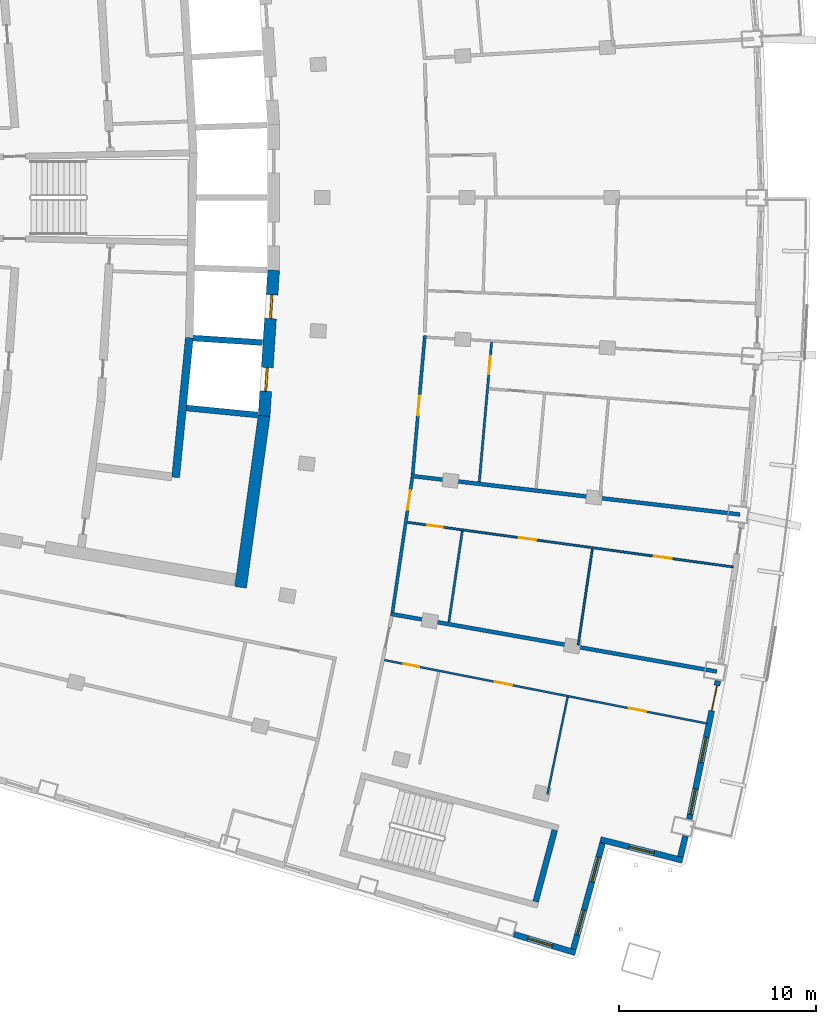
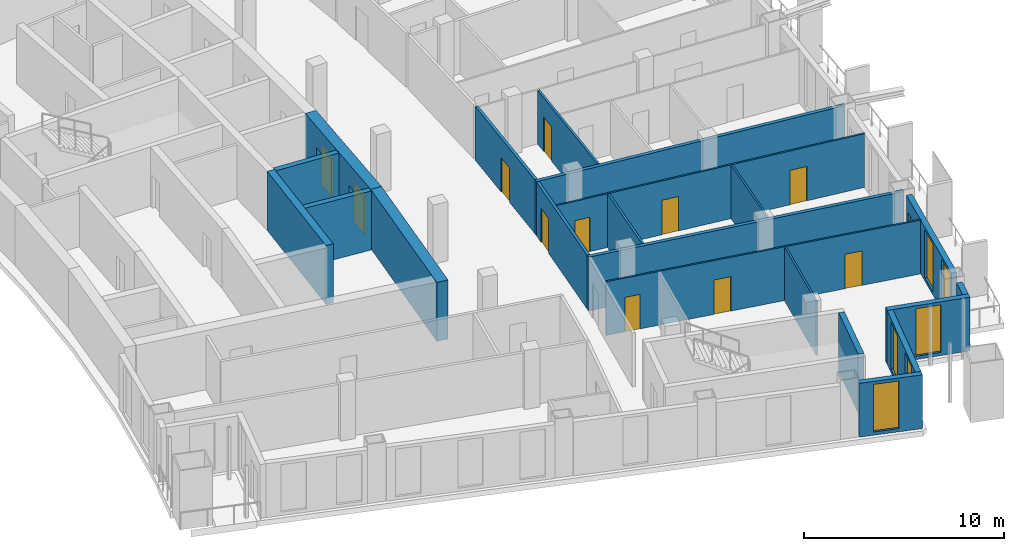
# One storey, part 10 of 17: 21 walls, 12 doors, 6 windows, 18 openings.
"""IFC4 building model written with IfcOpenShell, lengths in metres."""

from ifc_helpers import new_model, si_unit, direction, frame, frame_2d, origin, place, context, subcontext, project, spatial, rectangle, extrude, material, layer, layer_set, type_object, element, fill, save


model = new_model("IFC4")

# Units and contexts
model_context = context("Model", 3, precision=1e-05, world=origin(), true_north=direction((0.0, 1.0)))
body_context = subcontext(model_context, "Body", "Model", "MODEL_VIEW")
ifc_project = project(units=[si_unit("LENGTHUNIT", "METRE"), si_unit("AREAUNIT", "SQUARE_METRE"), si_unit("VOLUMEUNIT", "CUBIC_METRE"), si_unit("PLANEANGLEUNIT", "RADIAN"), si_unit("MASSUNIT", "GRAM", prefix="KILO")], contexts=[model_context])

# Site, building, storey
site_placement = place(None, origin())
site = spatial("IfcSite", under=ifc_project, at=site_placement, CompositionType="ELEMENT")
building_placement = place(site_placement, origin())
building = spatial("IfcBuilding", under=site, at=building_placement, Name="Alderwake Tower", CompositionType="ELEMENT")
storey_placement = place(building_placement, frame((0.0, 0.0, 214.39990234375)))
storey = spatial("IfcBuildingStorey", under=building, at=storey_placement, Name="L53", CompositionType="ELEMENT", Elevation=214.39990234375)

# Wall
ifc_material_1 = material(Name="Concrete C70/85", Category="concrete")
ifc_layer_1 = layer(ifc_material_1, 0.60009765625)
ifc_layer_set_1 = layer_set([ifc_layer_1], Name="Core wall outer 600 C70-85")
wall_type_1 = type_object("IfcWallType", Name="Core wall outer 600 C70-85", PredefinedType="SHEAR", material=ifc_layer_set_1)
wall_1_placement = place(storey_placement, frame((31.66796875, 41.256103515625, 0.0), z_axis=(0.0, 0.0, 1.0), x_axis=(0.135856583698, 0.990728514108, 0.0)))
element("IfcWall", 1, at=wall_1_placement, inside=storey, type_object=wall_type_1, Name="Core wall CW.017", PredefinedType="SHEAR", context=body_context, shape_type="SweptSolid", body=[
    extrude(rectangle(XDim=8.79296875, YDim=0.60009765625, at=frame_2d((4.396484375, 0.0))), origin(), (0.0, 0.0, 1.0), 3.60009765625),
])

# Wall, openings, doors
wall_2_placement = place(storey_placement, frame((32.860107421875, 49.9453125, 0.0), z_axis=(0.0, 0.0, 1.0), x_axis=(0.065013379938, 0.997884392317, 0.0)))
wall_2 = element("IfcWall", 2, at=wall_2_placement, inside=storey, type_object=wall_type_1, Name="Core wall CW.016", PredefinedType="SHEAR", context=body_context, shape_type="SweptSolid", body=[
    extrude(rectangle(XDim=7.39404296875, YDim=0.60009765625, at=frame_2d((3.697021484375, 0.0))), origin(), (0.0, 0.0, 1.0), 3.60009765625),
])
opening_1_placement = place(wall_2_placement, frame((1.254150390625, 0.0, 0.0)))
opening_1 = element("IfcOpeningElement", 3, at=opening_1_placement, cuts=wall_2, Name="Opening LD-HP1", PredefinedType="OPENING", context=body_context, shape_type="SweptSolid", body=[
    extrude(rectangle(XDim=1.199951171875, YDim=2.300048828125, at=frame_2d((0.60009765625, 1.14990234375))), frame((0.0, 0.31005859375, 0.0), z_axis=(0.0, -1.0, 0.0), x_axis=(1.0, 0.0, 0.0)), (0.0, 0.0, 1.0), 0.6201171875),
])
opening_2_placement = place(wall_2_placement, frame((4.941162109375, 0.0, 0.0)))
opening_2 = element("IfcOpeningElement", 4, at=opening_2_placement, cuts=wall_2, Name="Opening LD-HP2", PredefinedType="OPENING", context=body_context, shape_type="SweptSolid", body=[
    extrude(rectangle(XDim=1.199951171875, YDim=2.300048828125, at=frame_2d((0.60009765625, 1.14990234375))), frame((0.0, 0.31005859375, 0.0), z_axis=(0.0, -1.0, 0.0), x_axis=(1.0, 0.0, 0.0)), (0.0, 0.0, 1.0), 0.6201171875),
])
ifc_material_2 = material(Name="Stainless steel sliding leaf", Category="steel")
door_type_1 = type_object("IfcDoorType", Name="Lift landing door 1200", OperationType="SLIDING_TO_LEFT", PredefinedType="DOOR", material=ifc_material_2)
door_1_placement = place(opening_1_placement, origin())
door_1 = element("IfcDoor", 5, at=door_1_placement, inside=storey, type_object=door_type_1, Name="Lift landing door HP1", OperationType="SLIDING_TO_LEFT", OverallHeight=2.300048828125, OverallWidth=1.199951171875, PredefinedType="DOOR", context=body_context, shape_type="SweptSolid", body=[
    extrude(rectangle(XDim=1.199951171875, YDim=2.300048828125, at=frame_2d((0.60009765625, 1.14990234375))), frame((0.0, 0.050048828125, 0.0), z_axis=(0.0, -1.0, 0.0), x_axis=(1.0, 0.0, 0.0)), (0.0, 0.0, 1.0), 0.10009765625),
])
fill(opening_1, door_1)
door_2_placement = place(opening_2_placement, origin())
door_2 = element("IfcDoor", 6, at=door_2_placement, inside=storey, type_object=door_type_1, Name="Lift landing door HP2", OperationType="SLIDING_TO_LEFT", OverallHeight=2.300048828125, OverallWidth=1.199951171875, PredefinedType="DOOR", context=body_context, shape_type="SweptSolid", body=[
    extrude(rectangle(XDim=1.199951171875, YDim=2.300048828125, at=frame_2d((0.60009765625, 1.14990234375))), frame((0.0, 0.050048828125, 0.0), z_axis=(0.0, -1.0, 0.0), x_axis=(1.0, 0.0, 0.0)), (0.0, 0.0, 1.0), 0.10009765625),
])
fill(opening_2, door_2)

# Walls
ifc_material_3 = material(Name="Concrete C70/85", Category="concrete")
ifc_layer_2 = layer(ifc_material_3, 0.300048828125)
ifc_layer_set_2 = layer_set([ifc_layer_2], Name="Core wall shaft 300 C70-85")
wall_type_2 = type_object("IfcWallType", Name="Core wall shaft 300 C70-85", PredefinedType="SHEAR", material=ifc_layer_set_2)
wall_3_placement = place(storey_placement, frame((28.922119140625, 50.341796875, 0.0), z_axis=(0.0, 0.0, 1.0), x_axis=(0.995246193762, -0.097391035529, 0.0)))
element("IfcWall", 7, at=wall_3_placement, inside=storey, type_object=wall_type_2, Name="Core wall CW.064", PredefinedType="SHEAR", context=body_context, shape_type="SweptSolid", body=[
    extrude(rectangle(XDim=3.62744140625, YDim=0.300048828125, at=frame_2d((1.813720703125, 0.0))), origin(), (0.0, 0.0, 1.0), 3.60009765625),
])
wall_4_placement = place(storey_placement, frame((29.268798828125, 53.884521484375, 0.0), z_axis=(0.0, 0.0, 1.0), x_axis=(0.997887366571, -0.064967712281, 0.0)))
element("IfcWall", 8, at=wall_4_placement, inside=storey, type_object=wall_type_2, Name="Core wall CW.078", PredefinedType="SHEAR", context=body_context, shape_type="SweptSolid", body=[
    extrude(rectangle(XDim=3.509765625, YDim=0.300048828125, at=frame_2d((1.7548828125, 0.0))), origin(), (0.0, 0.0, 1.0), 3.60009765625),
])
ifc_material_4 = material(Name="Concrete C70/85", Category="concrete")
ifc_layer_3 = layer(ifc_material_4, 0.39990234375)
ifc_layer_set_3 = layer_set([ifc_layer_3], Name="Core wall spine 400 C70-85")
wall_type_3 = type_object("IfcWallType", Name="Core wall spine 400 C70-85", PredefinedType="SHEAR", material=ifc_layer_set_3)
wall_5_placement = place(storey_placement, frame((28.376953125, 46.8251953125, 0.0), z_axis=(0.0, 0.0, 1.0), x_axis=(0.097393469943, 0.995245955537, 0.0)))
element("IfcWall", 9, at=wall_5_placement, inside=storey, type_object=wall_type_3, Name="Core wall CW.005", PredefinedType="SHEAR", context=body_context, shape_type="SweptSolid", body=[
    extrude(rectangle(XDim=7.1142578125, YDim=0.39990234375, at=frame_2d((3.55712890625, 0.0))), origin(), (0.0, 0.0, 1.0), 3.60009765625),
])
ifc_material_5 = material(Name="Concrete C70/85", Category="concrete")
ifc_layer_4 = layer(ifc_material_5, 0.300048828125)
ifc_layer_set_4 = layer_set([ifc_layer_4], Name="Core wall stair enclosure 300 C70-85")
wall_type_4 = type_object("IfcWallType", Name="Core wall stair enclosure 300 C70-85", PredefinedType="SHEAR", material=ifc_layer_set_4)
wall_6_placement = place(storey_placement, frame((46.6162109375, 25.334716796875, 0.0), z_axis=(0.0, 0.0, 1.0), x_axis=(0.257366821694, 0.966313778796, 0.0)))
element("IfcWall", 10, at=wall_6_placement, inside=storey, type_object=wall_type_4, Name="Core wall CW.085", PredefinedType="SHEAR", context=body_context, shape_type="SweptSolid", body=[
    extrude(rectangle(XDim=3.749755859375, YDim=0.300048828125, at=frame_2d((1.875, 0.0))), origin(), (0.0, 0.0, 1.0), 3.60009765625),
])

# Wall, opening, door
ifc_material_6 = material(Name="Gypsum board on metal studs, rated")
ifc_layer_5 = layer(ifc_material_6, 0.159912109375)
ifc_layer_set_5 = layer_set([ifc_layer_5], Name="Corridor wall 160")
wall_type_5 = type_object("IfcWallType", Name="Corridor wall 160", PredefinedType="PARTITIONING", material=ifc_layer_set_5)
wall_7_placement = place(storey_placement, frame((40.3623046875, 46.7939453125, 0.0), z_axis=(0.0, 0.0, 1.0), x_axis=(-0.1455042199, -0.989357630987, 0.0)))
wall_7 = element("IfcWall", 11, at=wall_7_placement, inside=storey, type_object=wall_type_5, Name="WL/L53/W19", PredefinedType="PARTITIONING", context=body_context, shape_type="SweptSolid", body=[
    extrude(rectangle(XDim=6.87109375, YDim=0.159912109375, at=frame_2d((3.435546875, 0.0))), origin(), (0.0, 0.0, 1.0), 3.280029296875),
])
opening_3_placement = place(wall_7_placement, frame((0.628662109375, 0.0, 0.0)))
opening_3 = element("IfcOpeningElement", 12, at=opening_3_placement, cuts=wall_7, Name="Opening R15-U04.2", PredefinedType="OPENING", context=body_context, shape_type="SweptSolid", body=[
    extrude(rectangle(XDim=1.0, YDim=2.10009765625, at=frame_2d((0.5, 1.050048828125))), frame((0.0, 0.08984375, 0.0), z_axis=(0.0, -1.0, 0.0), x_axis=(1.0, 0.0, 0.0)), (0.0, 0.0, 1.0), 0.179931640625),
])
ifc_material_7 = material(Name="Solid timber leaf in steel frame", Category="steel")
door_type_2 = type_object("IfcDoorType", Name="Flat entrance door 1000 fire-rated", OperationType="SINGLE_SWING_LEFT", PredefinedType="DOOR", material=ifc_material_7)
door_3_placement = place(opening_3_placement, origin())
door_3 = element("IfcDoor", 13, at=door_3_placement, inside=storey, type_object=door_type_2, Name="DR/L53/U04.2", OperationType="SINGLE_SWING_LEFT", OverallHeight=2.10009765625, OverallWidth=1.0, PredefinedType="DOOR", context=body_context, shape_type="SweptSolid", body=[
    extrude(rectangle(XDim=1.0, YDim=2.10009765625, at=frame_2d((0.5, 1.050048828125))), frame((0.0, 0.02490234375, 0.0), z_axis=(0.0, -1.0, 0.0), x_axis=(1.0, 0.0, 0.0)), (0.0, 0.0, 1.0), 0.050048828125),
])
fill(opening_3, door_3)

wall_8_placement = place(storey_placement, frame((41.001953125, 54.013671875, 0.0), z_axis=(0.0, 0.0, 1.0), x_axis=(-0.087430787456, -0.996170596537, 0.0)))
wall_8 = element("IfcWall", 14, at=wall_8_placement, inside=storey, type_object=wall_type_5, Name="WL/L53/W21", PredefinedType="PARTITIONING", context=body_context, shape_type="SweptSolid", body=[
    extrude(rectangle(XDim=7.048095703125, YDim=0.159912109375, at=frame_2d((3.52392578125, 0.0))), origin(), (0.0, 0.0, 1.0), 3.280029296875),
])
opening_4_placement = place(wall_8_placement, frame((3.064208984375, 0.0, 0.0)))
opening_4 = element("IfcOpeningElement", 15, at=opening_4_placement, cuts=wall_8, Name="Opening R15-U05.2", PredefinedType="OPENING", context=body_context, shape_type="SweptSolid", body=[
    extrude(rectangle(XDim=1.0, YDim=2.10009765625, at=frame_2d((0.5, 1.050048828125))), frame((0.0, 0.08984375, 0.0), z_axis=(0.0, -1.0, 0.0), x_axis=(1.0, 0.0, 0.0)), (0.0, 0.0, 1.0), 0.179931640625),
])
door_4_placement = place(opening_4_placement, origin())
door_4 = element("IfcDoor", 16, at=door_4_placement, inside=storey, type_object=door_type_2, Name="DR/L53/U05.2", OperationType="SINGLE_SWING_LEFT", OverallHeight=2.10009765625, OverallWidth=1.0, PredefinedType="DOOR", context=body_context, shape_type="SweptSolid", body=[
    extrude(rectangle(XDim=1.0, YDim=2.10009765625, at=frame_2d((0.5, 1.050048828125))), frame((0.0, 0.02490234375, 0.0), z_axis=(0.0, -1.0, 0.0), x_axis=(1.0, 0.0, 0.0)), (0.0, 0.0, 1.0), 0.050048828125),
])
fill(opening_4, door_4)

# Wall
ifc_material_8 = material(Name="Precast concrete C50/60 spandrel panel", Category="concrete")
ifc_layer_6 = layer(ifc_material_8, 0.300048828125)
ifc_layer_set_6 = layer_set([ifc_layer_6], Name="External wall EW1 Precast concrete C50/60 spandrel")
wall_type_6 = type_object("IfcWallType", Name="External wall EW1 Precast concrete C50/60 spandrel", PredefinedType="SOLIDWALL", material=ifc_layer_set_6)
wall_9_placement = place(storey_placement, frame((53.948486328125, 27.610107421875, 0.0), z_axis=(0.0, 0.0, 1.0), x_axis=(0.238129221178, 0.971233480694, 0.0)))
element("IfcWall", 17, at=wall_9_placement, inside=storey, type_object=wall_type_6, Name="External wall 11", PredefinedType="SOLIDWALL", context=body_context, shape_type="SweptSolid", body=[
    extrude(rectangle(XDim=1.082763671875, YDim=0.300048828125, at=frame_2d((0.54150390625, 0.0))), origin(), (0.0, 0.0, 1.0), 3.280029296875),
])

# Wall, openings, door, windows
wall_10_placement = place(storey_placement, frame((54.399658203125, 29.517822265625, 0.0), z_axis=(0.0, 0.0, 1.0), x_axis=(0.202724039507, 0.979235908148, 0.0)))
wall_10 = element("IfcWall", 18, at=wall_10_placement, inside=storey, type_object=wall_type_6, Name="External wall 12", PredefinedType="SOLIDWALL", context=body_context, shape_type="SweptSolid", body=[
    extrude(rectangle(XDim=7.1572265625, YDim=0.300048828125, at=frame_2d((3.57861328125, 0.0))), origin(), (0.0, 0.0, 1.0), 3.280029296875),
])
opening_5_placement = place(wall_10_placement, frame((0.24951171875, 0.0, 0.199951171875)))
opening_5 = element("IfcOpeningElement", 19, at=opening_5_placement, cuts=wall_10, Name="Opening W1", PredefinedType="OPENING", context=body_context, shape_type="SweptSolid", body=[
    extrude(rectangle(XDim=1.300048828125, YDim=2.89990234375, at=frame_2d((0.64990234375, 1.449951171875))), frame((0.0, 0.159912109375, 0.0), z_axis=(0.0, -1.0, 0.0), x_axis=(1.0, 0.0, 0.0)), (0.0, 0.0, 1.0), 0.320068359375),
])
opening_6_placement = place(wall_10_placement, frame((2.928466796875, 0.0, 0.199951171875)))
opening_6 = element("IfcOpeningElement", 20, at=opening_6_placement, cuts=wall_10, Name="Opening W1", PredefinedType="OPENING", context=body_context, shape_type="SweptSolid", body=[
    extrude(rectangle(XDim=1.300048828125, YDim=2.89990234375, at=frame_2d((0.64990234375, 1.449951171875))), frame((0.0, 0.159912109375, 0.0), z_axis=(0.0, -1.0, 0.0), x_axis=(1.0, 0.0, 0.0)), (0.0, 0.0, 1.0), 0.320068359375),
])
opening_7_placement = place(wall_10_placement, frame((5.607666015625, 0.0, 0.0)))
opening_7 = element("IfcOpeningElement", 21, at=opening_7_placement, cuts=wall_10, Name="Opening D02", PredefinedType="OPENING", context=body_context, shape_type="SweptSolid", body=[
    extrude(rectangle(XDim=1.300048828125, YDim=2.39990234375, at=frame_2d((0.64990234375, 1.199951171875))), frame((0.0, 0.159912109375, 0.0), z_axis=(0.0, -1.0, 0.0), x_axis=(1.0, 0.0, 0.0)), (0.0, 0.0, 1.0), 0.320068359375),
])
ifc_material_9 = material(Name="Bronze tinted glass in aluminium frame", Category="aluminium")
door_type_3 = type_object("IfcDoorType", Name="Balcony door BD sliding", OperationType="SLIDING_TO_LEFT", PredefinedType="DOOR", material=ifc_material_9)
door_5_placement = place(opening_7_placement, origin())
door_5 = element("IfcDoor", 22, at=door_5_placement, inside=storey, type_object=door_type_3, Name="Door D02", OperationType="SLIDING_TO_LEFT", OverallHeight=2.39990234375, OverallWidth=1.300048828125, PredefinedType="DOOR", context=body_context, shape_type="SweptSolid", body=[
    extrude(rectangle(XDim=1.300048828125, YDim=2.39990234375, at=frame_2d((0.64990234375, 1.199951171875))), frame((0.0, 0.02490234375, 0.0), z_axis=(0.0, -1.0, 0.0), x_axis=(1.0, 0.0, 0.0)), (0.0, 0.0, 1.0), 0.050048828125),
])
fill(opening_7, door_5)
ifc_material_10 = material(Name="Bronze tinted glass in aluminium frame", Category="aluminium")
window_type = type_object("IfcWindowType", Name="Window W1 tall fixed and vent", PartitioningType="DOUBLE_PANEL_VERTICAL", PredefinedType="WINDOW", material=ifc_material_10)
window_1_placement = place(opening_5_placement, origin())
window_1 = element("IfcWindow", 23, at=window_1_placement, inside=storey, type_object=window_type, Name="Window W1 tall fixed and vent", OverallHeight=2.89990234375, OverallWidth=1.300048828125, PartitioningType="DOUBLE_PANEL_VERTICAL", PredefinedType="WINDOW", context=body_context, shape_type="SweptSolid", body=[
    extrude(rectangle(XDim=1.300048828125, YDim=2.89990234375, at=frame_2d((0.64990234375, 1.449951171875))), frame((0.0, 0.030029296875, 0.0), z_axis=(0.0, -1.0, 0.0), x_axis=(1.0, 0.0, 0.0)), (0.0, 0.0, 1.0), 0.06005859375),
])
fill(opening_5, window_1)
window_2_placement = place(opening_6_placement, origin())
window_2 = element("IfcWindow", 24, at=window_2_placement, inside=storey, type_object=window_type, Name="Window W1 tall fixed and vent", OverallHeight=2.89990234375, OverallWidth=1.300048828125, PartitioningType="DOUBLE_PANEL_VERTICAL", PredefinedType="WINDOW", context=body_context, shape_type="SweptSolid", body=[
    extrude(rectangle(XDim=1.300048828125, YDim=2.89990234375, at=frame_2d((0.64990234375, 1.449951171875))), frame((0.0, 0.030029296875, 0.0), z_axis=(0.0, -1.0, 0.0), x_axis=(1.0, 0.0, 0.0)), (0.0, 0.0, 1.0), 0.06005859375),
])
fill(opening_6, window_2)

# Wall, opening, window
ifc_material_11 = material(Name="Bronze metal cladding on lightweight framing")
ifc_layer_7 = layer(ifc_material_11, 0.300048828125)
ifc_layer_set_7 = layer_set([ifc_layer_7], Name="External wall EW2 bronze metal cladding")
wall_type_7 = type_object("IfcWallType", Name="External wall EW2 bronze metal cladding", PredefinedType="SOLIDWALL", material=ifc_layer_set_7)
wall_11_placement = place(storey_placement, frame((45.512451171875, 23.68310546875, 0.0), z_axis=(0.0, 0.0, 1.0), x_axis=(0.95777258911, -0.287526811878, 0.0)))
wall_11 = element("IfcWall", 25, at=wall_11_placement, inside=storey, type_object=wall_type_7, Name="External wall 8", PredefinedType="SOLIDWALL", context=body_context, shape_type="SweptSolid", body=[
    extrude(rectangle(XDim=3.254638671875, YDim=0.300048828125, at=frame_2d((1.62744140625, 0.0))), origin(), (0.0, 0.0, 1.0), 3.280029296875),
])
opening_8_placement = place(wall_11_placement, frame((0.739013671875, 0.0, 0.199951171875)))
opening_8 = element("IfcOpeningElement", 26, at=opening_8_placement, cuts=wall_11, Name="Opening W1", PredefinedType="OPENING", context=body_context, shape_type="SweptSolid", body=[
    extrude(rectangle(XDim=1.300048828125, YDim=2.89990234375, at=frame_2d((0.64990234375, 1.449951171875))), frame((0.0, 0.159912109375, 0.0), z_axis=(0.0, -1.0, 0.0), x_axis=(1.0, 0.0, 0.0)), (0.0, 0.0, 1.0), 0.320068359375),
])
window_3_placement = place(opening_8_placement, origin())
window_3 = element("IfcWindow", 27, at=window_3_placement, inside=storey, type_object=window_type, Name="Window W1 tall fixed and vent", OverallHeight=2.89990234375, OverallWidth=1.300048828125, PartitioningType="DOUBLE_PANEL_VERTICAL", PredefinedType="WINDOW", context=body_context, shape_type="SweptSolid", body=[
    extrude(rectangle(XDim=1.300048828125, YDim=2.89990234375, at=frame_2d((0.64990234375, 1.449951171875))), frame((0.0, 0.030029296875, 0.0), z_axis=(0.0, -1.0, 0.0), x_axis=(1.0, 0.0, 0.0)), (0.0, 0.0, 1.0), 0.06005859375),
])
fill(opening_8, window_3)

# Wall, openings, windows
wall_12_placement = place(storey_placement, frame((48.525634765625, 22.934814453125, 0.0), z_axis=(0.0, 0.0, 1.0), x_axis=(0.265099374795, 0.964221095747, 0.0)))
wall_12 = element("IfcWall", 28, at=wall_12_placement, inside=storey, type_object=wall_type_7, Name="External wall 9", PredefinedType="SOLIDWALL", context=body_context, shape_type="SweptSolid", body=[
    extrude(rectangle(XDim=5.564208984375, YDim=0.300048828125, at=frame_2d((2.7822265625, 0.0))), origin(), (0.0, 0.0, 1.0), 3.280029296875),
])
opening_9_placement = place(wall_12_placement, frame((0.740966796875, 0.0, 0.199951171875)))
opening_9 = element("IfcOpeningElement", 29, at=opening_9_placement, cuts=wall_12, Name="Opening W1", PredefinedType="OPENING", context=body_context, shape_type="SweptSolid", body=[
    extrude(rectangle(XDim=1.300048828125, YDim=2.89990234375, at=frame_2d((0.64990234375, 1.449951171875))), frame((0.0, 0.159912109375, 0.0), z_axis=(0.0, -1.0, 0.0), x_axis=(1.0, 0.0, 0.0)), (0.0, 0.0, 1.0), 0.320068359375),
])
opening_10_placement = place(wall_12_placement, frame((3.523193359375, 0.0, 0.199951171875)))
opening_10 = element("IfcOpeningElement", 30, at=opening_10_placement, cuts=wall_12, Name="Opening W1", PredefinedType="OPENING", context=body_context, shape_type="SweptSolid", body=[
    extrude(rectangle(XDim=1.300048828125, YDim=2.89990234375, at=frame_2d((0.64990234375, 1.449951171875))), frame((0.0, 0.159912109375, 0.0), z_axis=(0.0, -1.0, 0.0), x_axis=(1.0, 0.0, 0.0)), (0.0, 0.0, 1.0), 0.320068359375),
])
window_4_placement = place(opening_9_placement, origin())
window_4 = element("IfcWindow", 31, at=window_4_placement, inside=storey, type_object=window_type, Name="Window W1 tall fixed and vent", OverallHeight=2.89990234375, OverallWidth=1.300048828125, PartitioningType="DOUBLE_PANEL_VERTICAL", PredefinedType="WINDOW", context=body_context, shape_type="SweptSolid", body=[
    extrude(rectangle(XDim=1.300048828125, YDim=2.89990234375, at=frame_2d((0.64990234375, 1.449951171875))), frame((0.0, 0.030029296875, 0.0), z_axis=(0.0, -1.0, 0.0), x_axis=(1.0, 0.0, 0.0)), (0.0, 0.0, 1.0), 0.06005859375),
])
fill(opening_9, window_4)
window_5_placement = place(opening_10_placement, origin())
window_5 = element("IfcWindow", 32, at=window_5_placement, inside=storey, type_object=window_type, Name="Window W1 tall fixed and vent", OverallHeight=2.89990234375, OverallWidth=1.300048828125, PartitioningType="DOUBLE_PANEL_VERTICAL", PredefinedType="WINDOW", context=body_context, shape_type="SweptSolid", body=[
    extrude(rectangle(XDim=1.300048828125, YDim=2.89990234375, at=frame_2d((0.64990234375, 1.449951171875))), frame((0.0, 0.030029296875, 0.0), z_axis=(0.0, -1.0, 0.0), x_axis=(1.0, 0.0, 0.0)), (0.0, 0.0, 1.0), 0.06005859375),
])
fill(opening_10, window_5)

# Wall, opening, window
wall_13_placement = place(storey_placement, frame((49.89501953125, 28.4814453125, 0.0), z_axis=(0.0, 0.0, 1.0), x_axis=(0.969429385377, -0.245370468408, 0.0)))
wall_13 = element("IfcWall", 33, at=wall_13_placement, inside=storey, type_object=wall_type_7, Name="External wall 10", PredefinedType="SOLIDWALL", context=body_context, shape_type="SweptSolid", body=[
    extrude(rectangle(XDim=4.29443359375, YDim=0.300048828125, at=frame_2d((2.147216796875, 0.0))), origin(), (0.0, 0.0, 1.0), 3.280029296875),
])
opening_11_placement = place(wall_13_placement, frame((1.4970703125, 0.0, 0.199951171875)))
opening_11 = element("IfcOpeningElement", 34, at=opening_11_placement, cuts=wall_13, Name="Opening W1", PredefinedType="OPENING", context=body_context, shape_type="SweptSolid", body=[
    extrude(rectangle(XDim=1.300048828125, YDim=2.89990234375, at=frame_2d((0.64990234375, 1.449951171875))), frame((0.0, 0.159912109375, 0.0), z_axis=(0.0, -1.0, 0.0), x_axis=(1.0, 0.0, 0.0)), (0.0, 0.0, 1.0), 0.320068359375),
])
window_6_placement = place(opening_11_placement, origin())
window_6 = element("IfcWindow", 35, at=window_6_placement, inside=storey, type_object=window_type, Name="Window W1 tall fixed and vent", OverallHeight=2.89990234375, OverallWidth=1.300048828125, PartitioningType="DOUBLE_PANEL_VERTICAL", PredefinedType="WINDOW", context=body_context, shape_type="SweptSolid", body=[
    extrude(rectangle(XDim=1.300048828125, YDim=2.89990234375, at=frame_2d((0.64990234375, 1.449951171875))), frame((0.0, 0.030029296875, 0.0), z_axis=(0.0, -1.0, 0.0), x_axis=(1.0, 0.0, 0.0)), (0.0, 0.0, 1.0), 0.06005859375),
])
fill(opening_11, window_6)

# Walls
ifc_material_12 = material(Name="Dense block masonry wall", Category="masonry")
ifc_layer_8 = layer(ifc_material_12, 0.199951171875)
ifc_layer_set_8 = layer_set([ifc_layer_8], Name="Party wall 200")
wall_type_8 = type_object("IfcWallType", Name="Party wall 200", PredefinedType="SOLIDWALL", material=ifc_layer_set_8)
wall_14_placement = place(storey_placement, frame((55.7939453125, 36.989990234375, 0.0), z_axis=(0.0, 0.0, 1.0), x_axis=(-0.984734747419, 0.174061705225, 0.0)))
element("IfcWall", 36, at=wall_14_placement, inside=storey, type_object=wall_type_8, Name="WL/L53/W01", PredefinedType="SOLIDWALL", context=body_context, shape_type="SweptSolid", body=[
    extrude(rectangle(XDim=16.78076171875, YDim=0.199951171875, at=frame_2d((8.390380859375, 0.0))), origin(), (0.0, 0.0, 1.0), 3.280029296875),
])
wall_15_placement = place(storey_placement, frame((56.964111328125, 44.948974609375, 0.0), z_axis=(0.0, 0.0, 1.0), x_axis=(-0.993201654104, 0.116406504475, 0.0)))
element("IfcWall", 37, at=wall_15_placement, inside=storey, type_object=wall_type_8, Name="WL/L53/W03", PredefinedType="SOLIDWALL", context=body_context, shape_type="SweptSolid", body=[
    extrude(rectangle(XDim=16.780517578125, YDim=0.199951171875, at=frame_2d((8.39013671875, 0.0))), origin(), (0.0, 0.0, 1.0), 3.280029296875),
])

# Wall, openings, doors
ifc_material_13 = material(Name="Gypsum board on metal studs")
ifc_layer_9 = layer(ifc_material_13, 0.10009765625)
ifc_layer_set_9 = layer_set([ifc_layer_9], Name="Unit partition 100")
wall_type_9 = type_object("IfcWallType", Name="Unit partition 100", PredefinedType="PARTITIONING", material=ifc_layer_set_9)
wall_16_placement = place(storey_placement, frame((55.299072265625, 34.35595703125, 0.0), z_axis=(0.0, 0.0, 1.0), x_axis=(-0.981169565735, 0.193148345256, 0.0)))
wall_16 = element("IfcWall", 38, at=wall_16_placement, inside=storey, type_object=wall_type_9, Name="WL/L53/W41", PredefinedType="PARTITIONING", context=body_context, shape_type="SweptSolid", body=[
    extrude(rectangle(XDim=16.663330078125, YDim=0.10009765625, at=frame_2d((8.33154296875, 0.0))), origin(), (0.0, 0.0, 1.0), 3.280029296875),
])
opening_12_placement = place(wall_16_placement, frame((10.068603515625, 0.0, 0.0)))
opening_12 = element("IfcOpeningElement", 39, at=opening_12_placement, cuts=wall_16, Name="Opening R15-U03.1", PredefinedType="OPENING", context=body_context, shape_type="SweptSolid", body=[
    extrude(rectangle(XDim=0.89990234375, YDim=2.10009765625, at=frame_2d((0.449951171875, 1.050048828125))), frame((0.0, 0.06005859375, 0.0), z_axis=(0.0, -1.0, 0.0), x_axis=(1.0, 0.0, 0.0)), (0.0, 0.0, 1.0), 0.1201171875),
])
opening_13_placement = place(wall_16_placement, frame((14.85400390625, 0.0, 0.0)))
opening_13 = element("IfcOpeningElement", 40, at=opening_13_placement, cuts=wall_16, Name="Opening R15-U03.3", PredefinedType="OPENING", context=body_context, shape_type="SweptSolid", body=[
    extrude(rectangle(XDim=0.800048828125, YDim=2.10009765625, at=frame_2d((0.39990234375, 1.050048828125))), frame((0.0, 0.06005859375, 0.0), z_axis=(0.0, -1.0, 0.0), x_axis=(1.0, 0.0, 0.0)), (0.0, 0.0, 1.0), 0.1201171875),
])
opening_14_placement = place(wall_16_placement, frame((3.146728515625, 0.0, 0.0)))
opening_14 = element("IfcOpeningElement", 41, at=opening_14_placement, cuts=wall_16, Name="Opening R15-U03.4", PredefinedType="OPENING", context=body_context, shape_type="SweptSolid", body=[
    extrude(rectangle(XDim=0.89990234375, YDim=2.10009765625, at=frame_2d((0.449951171875, 1.050048828125))), frame((0.0, 0.06005859375, 0.0), z_axis=(0.0, -1.0, 0.0), x_axis=(1.0, 0.0, 0.0)), (0.0, 0.0, 1.0), 0.1201171875),
])
ifc_material_14 = material(Name="Painted timber leaf", Category="wood")
door_type_4 = type_object("IfcDoorType", Name="Bathroom door 800", OperationType="SINGLE_SWING_LEFT", PredefinedType="DOOR", material=ifc_material_14)
door_6_placement = place(opening_13_placement, origin())
door_6 = element("IfcDoor", 42, at=door_6_placement, inside=storey, type_object=door_type_4, Name="DR/L53/U03.3", OperationType="SINGLE_SWING_LEFT", OverallHeight=2.10009765625, OverallWidth=0.800048828125, PredefinedType="DOOR", context=body_context, shape_type="SweptSolid", body=[
    extrude(rectangle(XDim=0.800048828125, YDim=2.10009765625, at=frame_2d((0.39990234375, 1.050048828125))), frame((0.0, 0.02490234375, 0.0), z_axis=(0.0, -1.0, 0.0), x_axis=(1.0, 0.0, 0.0)), (0.0, 0.0, 1.0), 0.050048828125),
])
fill(opening_13, door_6)
ifc_material_15 = material(Name="Painted timber leaf", Category="wood")
door_type_5 = type_object("IfcDoorType", Name="Room door 900", OperationType="SINGLE_SWING_LEFT", PredefinedType="DOOR", material=ifc_material_15)
door_7_placement = place(opening_12_placement, origin())
door_7 = element("IfcDoor", 43, at=door_7_placement, inside=storey, type_object=door_type_5, Name="DR/L53/U03.1", OperationType="SINGLE_SWING_LEFT", OverallHeight=2.10009765625, OverallWidth=0.89990234375, PredefinedType="DOOR", context=body_context, shape_type="SweptSolid", body=[
    extrude(rectangle(XDim=0.89990234375, YDim=2.10009765625, at=frame_2d((0.449951171875, 1.050048828125))), frame((0.0, 0.02490234375, 0.0), z_axis=(0.0, -1.0, 0.0), x_axis=(1.0, 0.0, 0.0)), (0.0, 0.0, 1.0), 0.050048828125),
])
fill(opening_12, door_7)
door_8_placement = place(opening_14_placement, origin())
door_8 = element("IfcDoor", 44, at=door_8_placement, inside=storey, type_object=door_type_5, Name="DR/L53/U03.4", OperationType="SINGLE_SWING_LEFT", OverallHeight=2.10009765625, OverallWidth=0.89990234375, PredefinedType="DOOR", context=body_context, shape_type="SweptSolid", body=[
    extrude(rectangle(XDim=0.89990234375, YDim=2.10009765625, at=frame_2d((0.449951171875, 1.050048828125))), frame((0.0, 0.02490234375, 0.0), z_axis=(0.0, -1.0, 0.0), x_axis=(1.0, 0.0, 0.0)), (0.0, 0.0, 1.0), 0.050048828125),
])
fill(opening_14, door_8)

wall_17_placement = place(storey_placement, frame((56.6220703125, 42.2880859375, 0.0), z_axis=(0.0, 0.0, 1.0), x_axis=(-0.990734517183, 0.135812799334, 0.0)))
wall_17 = element("IfcWall", 45, at=wall_17_placement, inside=storey, type_object=wall_type_9, Name="WL/L53/W42", PredefinedType="PARTITIONING", context=body_context, shape_type="SweptSolid", body=[
    extrude(rectangle(XDim=16.662109375, YDim=0.10009765625, at=frame_2d((8.3310546875, 0.0))), origin(), (0.0, 0.0, 1.0), 3.280029296875),
])
opening_15_placement = place(wall_17_placement, frame((10.068359375, 0.0, 0.0)))
opening_15 = element("IfcOpeningElement", 46, at=opening_15_placement, cuts=wall_17, Name="Opening R15-U04.1", PredefinedType="OPENING", context=body_context, shape_type="SweptSolid", body=[
    extrude(rectangle(XDim=0.89990234375, YDim=2.10009765625, at=frame_2d((0.449951171875, 1.050048828125))), frame((0.0, 0.06005859375, 0.0), z_axis=(0.0, -1.0, 0.0), x_axis=(1.0, 0.0, 0.0)), (0.0, 0.0, 1.0), 0.1201171875),
])
opening_16_placement = place(wall_17_placement, frame((14.853271484375, 0.0, 0.0)))
opening_16 = element("IfcOpeningElement", 47, at=opening_16_placement, cuts=wall_17, Name="Opening R15-U04.3", PredefinedType="OPENING", context=body_context, shape_type="SweptSolid", body=[
    extrude(rectangle(XDim=0.800048828125, YDim=2.10009765625, at=frame_2d((0.39990234375, 1.050048828125))), frame((0.0, 0.06005859375, 0.0), z_axis=(0.0, -1.0, 0.0), x_axis=(1.0, 0.0, 0.0)), (0.0, 0.0, 1.0), 0.1201171875),
])
opening_17_placement = place(wall_17_placement, frame((3.146484375, 0.0, 0.0)))
opening_17 = element("IfcOpeningElement", 48, at=opening_17_placement, cuts=wall_17, Name="Opening R15-U04.4", PredefinedType="OPENING", context=body_context, shape_type="SweptSolid", body=[
    extrude(rectangle(XDim=0.89990234375, YDim=2.10009765625, at=frame_2d((0.449951171875, 1.050048828125))), frame((0.0, 0.06005859375, 0.0), z_axis=(0.0, -1.0, 0.0), x_axis=(1.0, 0.0, 0.0)), (0.0, 0.0, 1.0), 0.1201171875),
])
door_9_placement = place(opening_16_placement, origin())
door_9 = element("IfcDoor", 49, at=door_9_placement, inside=storey, type_object=door_type_4, Name="DR/L53/U04.3", OperationType="SINGLE_SWING_LEFT", OverallHeight=2.10009765625, OverallWidth=0.800048828125, PredefinedType="DOOR", context=body_context, shape_type="SweptSolid", body=[
    extrude(rectangle(XDim=0.800048828125, YDim=2.10009765625, at=frame_2d((0.39990234375, 1.050048828125))), frame((0.0, 0.02490234375, 0.0), z_axis=(0.0, -1.0, 0.0), x_axis=(1.0, 0.0, 0.0)), (0.0, 0.0, 1.0), 0.050048828125),
])
fill(opening_16, door_9)
door_10_placement = place(opening_15_placement, origin())
door_10 = element("IfcDoor", 50, at=door_10_placement, inside=storey, type_object=door_type_5, Name="DR/L53/U04.1", OperationType="SINGLE_SWING_LEFT", OverallHeight=2.10009765625, OverallWidth=0.89990234375, PredefinedType="DOOR", context=body_context, shape_type="SweptSolid", body=[
    extrude(rectangle(XDim=0.89990234375, YDim=2.10009765625, at=frame_2d((0.449951171875, 1.050048828125))), frame((0.0, 0.02490234375, 0.0), z_axis=(0.0, -1.0, 0.0), x_axis=(1.0, 0.0, 0.0)), (0.0, 0.0, 1.0), 0.050048828125),
])
fill(opening_15, door_10)
door_11_placement = place(opening_17_placement, origin())
door_11 = element("IfcDoor", 51, at=door_11_placement, inside=storey, type_object=door_type_5, Name="DR/L53/U04.4", OperationType="SINGLE_SWING_LEFT", OverallHeight=2.10009765625, OverallWidth=0.89990234375, PredefinedType="DOOR", context=body_context, shape_type="SweptSolid", body=[
    extrude(rectangle(XDim=0.89990234375, YDim=2.10009765625, at=frame_2d((0.449951171875, 1.050048828125))), frame((0.0, 0.02490234375, 0.0), z_axis=(0.0, -1.0, 0.0), x_axis=(1.0, 0.0, 0.0)), (0.0, 0.0, 1.0), 0.050048828125),
])
fill(opening_17, door_11)

# Walls
wall_18_placement = place(storey_placement, frame((47.2109375, 30.76806640625, 0.0), z_axis=(0.0, 0.0, 1.0), x_axis=(0.203061140809, 0.979166060019, 0.0)))
element("IfcWall", 52, at=wall_18_placement, inside=storey, type_object=wall_type_9, Name="WL/L53/W48", PredefinedType="PARTITIONING", context=body_context, shape_type="SweptSolid", body=[
    extrude(rectangle(XDim=5.03271484375, YDim=0.10009765625, at=frame_2d((2.516357421875, 0.0))), origin(), (0.0, 0.0, 1.0), 3.280029296875),
])
wall_19_placement = place(storey_placement, frame((48.7705078125, 38.333984375, 0.0), z_axis=(0.0, 0.0, 1.0), x_axis=(0.145734669437, 0.989323711494, 0.0)))
element("IfcWall", 53, at=wall_19_placement, inside=storey, type_object=wall_type_9, Name="WL/L53/W49", PredefinedType="PARTITIONING", context=body_context, shape_type="SweptSolid", body=[
    extrude(rectangle(XDim=4.935302734375, YDim=0.10009765625, at=frame_2d((2.4677734375, 0.0))), origin(), (0.0, 0.0, 1.0), 3.280029296875),
])
ifc_material_16 = material(Name="Moisture resistant gypsum board on metal studs")
ifc_layer_10 = layer(ifc_material_16, 0.1201171875)
ifc_layer_set_10 = layer_set([ifc_layer_10], Name="Wet room partition 120")
wall_type_10 = type_object("IfcWallType", Name="Wet room partition 120", PredefinedType="PARTITIONING", material=ifc_layer_set_10)
wall_20_placement = place(storey_placement, frame((42.218505859375, 39.491943359375, 0.0), z_axis=(0.0, 0.0, 1.0), x_axis=(0.145515042, 0.989356039326, 0.0)))
element("IfcWall", 54, at=wall_20_placement, inside=storey, type_object=wall_type_10, Name="WL/L53/W33", PredefinedType="PARTITIONING", context=body_context, shape_type="SweptSolid", body=[
    extrude(rectangle(XDim=4.67431640625, YDim=0.1201171875, at=frame_2d((2.337158203125, 0.0))), origin(), (0.0, 0.0, 1.0), 3.280029296875),
])

# Wall, opening, door
wall_21_placement = place(storey_placement, frame((44.383544921875, 53.686279296875, 0.0), z_axis=(0.0, 0.0, 1.0), x_axis=(-0.087510360813, -0.996163609429, 0.0)))
wall_21 = element("IfcWall", 55, at=wall_21_placement, inside=storey, type_object=wall_type_10, Name="WL/L53/W36", PredefinedType="PARTITIONING", context=body_context, shape_type="SweptSolid", body=[
    extrude(rectangle(XDim=7.116943359375, YDim=0.1201171875, at=frame_2d((3.55859375, 0.0))), origin(), (0.0, 0.0, 1.0), 3.280029296875),
])
opening_18_placement = place(wall_21_placement, frame((0.736328125, 0.0, 0.0)))
opening_18 = element("IfcOpeningElement", 56, at=opening_18_placement, cuts=wall_21, Name="Opening R15-U05.3", PredefinedType="OPENING", context=body_context, shape_type="SweptSolid", body=[
    extrude(rectangle(XDim=0.89990234375, YDim=2.10009765625, at=frame_2d((0.449951171875, 1.050048828125))), frame((0.0, 0.070068359375, 0.0), z_axis=(0.0, -1.0, 0.0), x_axis=(1.0, 0.0, 0.0)), (0.0, 0.0, 1.0), 0.14013671875),
])
door_12_placement = place(opening_18_placement, origin())
door_12 = element("IfcDoor", 57, at=door_12_placement, inside=storey, type_object=door_type_5, Name="DR/L53/U05.3", OperationType="SINGLE_SWING_LEFT", OverallHeight=2.10009765625, OverallWidth=0.89990234375, PredefinedType="DOOR", context=body_context, shape_type="SweptSolid", body=[
    extrude(rectangle(XDim=0.89990234375, YDim=2.10009765625, at=frame_2d((0.449951171875, 1.050048828125))), frame((0.0, 0.02490234375, 0.0), z_axis=(0.0, -1.0, 0.0), x_axis=(1.0, 0.0, 0.0)), (0.0, 0.0, 1.0), 0.050048828125),
])
fill(opening_18, door_12)

save(model, "model.ifc")
